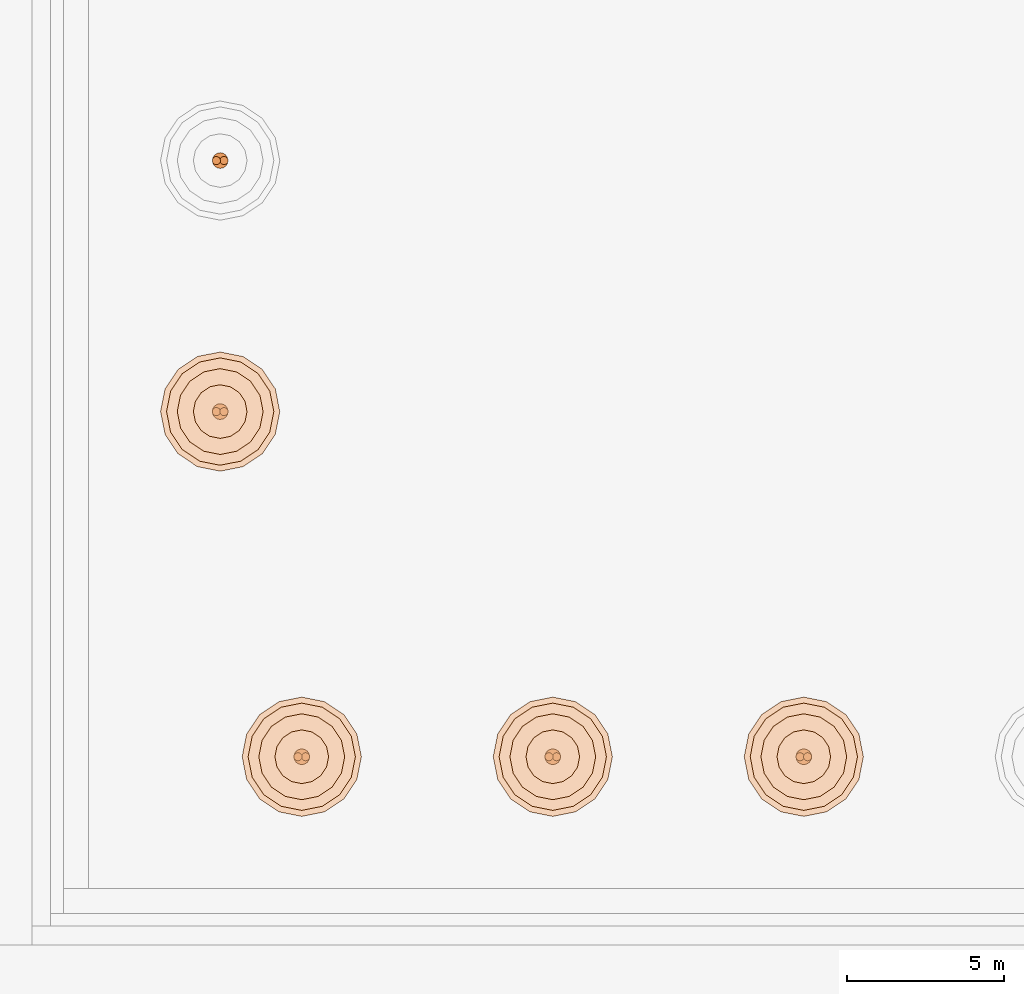
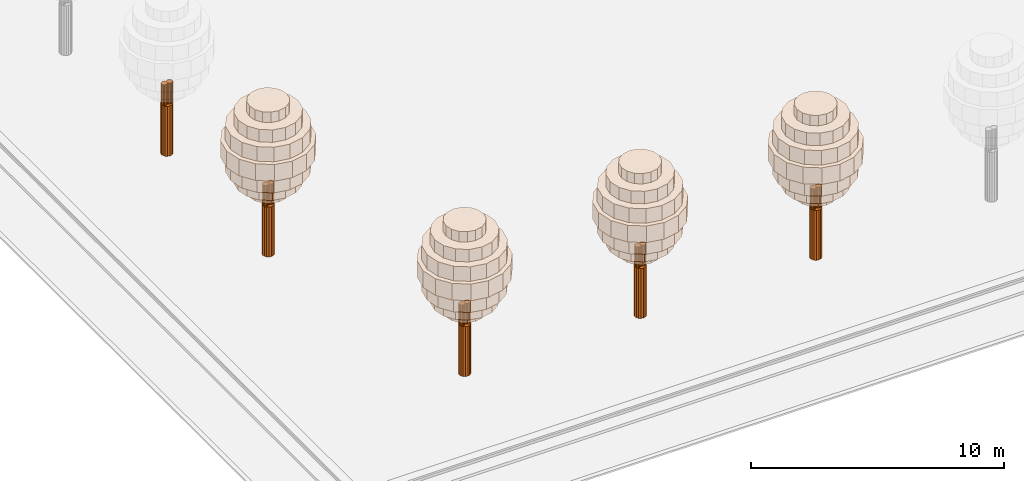
# One storey, part 238 of 250: 43 geographic elements.
"""IFC4 building model written with IfcOpenShell, lengths in metres."""

from ifc_helpers import new_model, si_unit, direction, frame, origin, place, context, subcontext, project, spatial, polyline, outline, extrude, material, type_object, element, save


model = new_model("IFC4")

# Units and contexts
model_context = context("Model", 3, precision=1e-05, world=origin(), true_north=direction((0.0, 1.0)))
body_context = subcontext(model_context, "Body", "Model", "MODEL_VIEW")
ifc_project = project(units=[si_unit("LENGTHUNIT", "METRE"), si_unit("AREAUNIT", "SQUARE_METRE"), si_unit("VOLUMEUNIT", "CUBIC_METRE"), si_unit("PLANEANGLEUNIT", "RADIAN"), si_unit("MASSUNIT", "GRAM", prefix="KILO")], contexts=[model_context])

# Site, building, storey
site_placement = place(None, origin())
site = spatial("IfcSite", under=ifc_project, at=site_placement, CompositionType="ELEMENT")
building_placement = place(site_placement, origin())
building = spatial("IfcBuilding", under=site, at=building_placement, Name="Baradari Gate Terminus", CompositionType="ELEMENT")
storey_placement = place(building_placement, origin())
storey = spatial("IfcBuildingStorey", under=building, at=storey_placement, Name="L00", CompositionType="ELEMENT", Elevation=0.0)

# Geographic elements
ifc_material_1 = material(Name="Planted foliage, green")
geographic_element_type_1 = type_object("IfcGeographicElementType", Name="Street tree crown, belly layer TR-4 3420x700", PredefinedType="USERDEFINED", material=ifc_material_1)
for number, where, name in (
    (1, (0.0, 0.0, 4.10009765625), "Street tree 1 crown 3"),
    (2, (0.0, 0.0, 5.60009765625), "Street tree 1 crown 5"),
):
    element("IfcGeographicElement", number, at=place(storey_placement, frame(where)), inside=storey, type_object=geographic_element_type_1, Name=name, ObjectType="TREE", PredefinedType="USERDEFINED", context=body_context, shape_type="SweptSolid", body=[
        extrude(outline(polyline([(12.7099609375, 8.39990234375), (12.579833984375, 9.054443359375), (12.209228515625, 9.609130859375), (11.654296875, 9.979736328125), (11.0, 10.110107421875), (10.345703125, 9.979736328125), (9.790771484375, 9.609130859375), (9.420166015625, 9.054443359375), (9.2900390625, 8.39990234375), (9.420166015625, 7.74560546875), (9.790771484375, 7.19091796875), (10.345703125, 6.820068359375), (11.0, 6.68994140625), (11.654296875, 6.820068359375), (12.209228515625, 7.19091796875), (12.579833984375, 7.74560546875), (12.7099609375, 8.39990234375)])), origin(), (0.0, 0.0, 1.0), 0.699951171875),
    ])
for number, where, name in (
    (3, (0.0, 0.0, 4.10009765625), "Street tree 2 crown 3"),
    (4, (0.0, 0.0, 5.60009765625), "Street tree 2 crown 5"),
):
    element("IfcGeographicElement", number, at=place(storey_placement, frame(where)), inside=storey, type_object=geographic_element_type_1, Name=name, ObjectType="TREE", PredefinedType="USERDEFINED", context=body_context, shape_type="SweptSolid", body=[
        extrude(outline(polyline([(20.7099609375, 8.39990234375), (20.579833984375, 9.054443359375), (20.209228515625, 9.609130859375), (19.654296875, 9.979736328125), (19.0, 10.110107421875), (18.345703125, 9.979736328125), (17.790771484375, 9.609130859375), (17.420166015625, 9.054443359375), (17.2900390625, 8.39990234375), (17.420166015625, 7.74560546875), (17.790771484375, 7.19091796875), (18.345703125, 6.820068359375), (19.0, 6.68994140625), (19.654296875, 6.820068359375), (20.209228515625, 7.19091796875), (20.579833984375, 7.74560546875), (20.7099609375, 8.39990234375)])), origin(), (0.0, 0.0, 1.0), 0.699951171875),
    ])
for number, where, name in (
    (5, (0.0, 0.0, 4.10009765625), "Street tree 3 crown 3"),
    (6, (0.0, 0.0, 5.60009765625), "Street tree 3 crown 5"),
):
    element("IfcGeographicElement", number, at=place(storey_placement, frame(where)), inside=storey, type_object=geographic_element_type_1, Name=name, ObjectType="TREE", PredefinedType="USERDEFINED", context=body_context, shape_type="SweptSolid", body=[
        extrude(outline(polyline([(28.7099609375, 8.39990234375), (28.579833984375, 9.054443359375), (28.209228515625, 9.609130859375), (27.654296875, 9.979736328125), (27.0, 10.110107421875), (26.345703125, 9.979736328125), (25.790771484375, 9.609130859375), (25.420166015625, 9.054443359375), (25.2900390625, 8.39990234375), (25.420166015625, 7.74560546875), (25.790771484375, 7.19091796875), (26.345703125, 6.820068359375), (27.0, 6.68994140625), (27.654296875, 6.820068359375), (28.209228515625, 7.19091796875), (28.579833984375, 7.74560546875), (28.7099609375, 8.39990234375)])), origin(), (0.0, 0.0, 1.0), 0.699951171875),
    ])
for number, where, name in (
    (7, (0.0, 0.0, 4.10009765625), "Street tree 16 crown 3"),
    (8, (0.0, 0.0, 5.60009765625), "Street tree 16 crown 5"),
):
    element("IfcGeographicElement", number, at=place(storey_placement, frame(where)), inside=storey, type_object=geographic_element_type_1, Name=name, ObjectType="TREE", PredefinedType="USERDEFINED", context=body_context, shape_type="SweptSolid", body=[
        extrude(outline(polyline([(10.110107421875, 19.39990234375), (9.979736328125, 20.054443359375), (9.609130859375, 20.609130859375), (9.054443359375, 20.979736328125), (8.39990234375, 21.110107421875), (7.74560546875, 20.979736328125), (7.19091796875, 20.609130859375), (6.820068359375, 20.054443359375), (6.68994140625, 19.39990234375), (6.820068359375, 18.74560546875), (7.19091796875, 18.19091796875), (7.74560546875, 17.820068359375), (8.39990234375, 17.68994140625), (9.054443359375, 17.820068359375), (9.609130859375, 18.19091796875), (9.979736328125, 18.74560546875), (10.110107421875, 19.39990234375)])), origin(), (0.0, 0.0, 1.0), 0.699951171875),
    ])
ifc_material_2 = material(Name="Planted foliage, green")
geographic_element_type_2 = type_object("IfcGeographicElementType", Name="Street tree crown, core layer TR-5 3800x800", PredefinedType="USERDEFINED", material=ifc_material_2)
geographic_element_1_placement = place(storey_placement, frame((0.0, 0.0, 4.800048828125)))
element("IfcGeographicElement", 9, at=geographic_element_1_placement, inside=storey, type_object=geographic_element_type_2, Name="Street tree 1 crown 4", ObjectType="TREE", PredefinedType="USERDEFINED", context=body_context, shape_type="SweptSolid", body=[
    extrude(outline(polyline([(12.89990234375, 8.39990234375), (12.75537109375, 9.127197265625), (12.343505859375, 9.743408203125), (11.72705078125, 10.1552734375), (11.0, 10.300048828125), (10.27294921875, 10.1552734375), (9.656494140625, 9.743408203125), (9.24462890625, 9.127197265625), (9.10009765625, 8.39990234375), (9.24462890625, 7.6728515625), (9.656494140625, 7.056396484375), (10.27294921875, 6.64453125), (11.0, 6.5), (11.72705078125, 6.64453125), (12.343505859375, 7.056396484375), (12.75537109375, 7.6728515625), (12.89990234375, 8.39990234375)])), origin(), (0.0, 0.0, 1.0), 0.800048828125),
])
geographic_element_2_placement = place(storey_placement, frame((0.0, 0.0, 4.800048828125)))
element("IfcGeographicElement", 10, at=geographic_element_2_placement, inside=storey, type_object=geographic_element_type_2, Name="Street tree 2 crown 4", ObjectType="TREE", PredefinedType="USERDEFINED", context=body_context, shape_type="SweptSolid", body=[
    extrude(outline(polyline([(20.89990234375, 8.39990234375), (20.75537109375, 9.127197265625), (20.343505859375, 9.743408203125), (19.72705078125, 10.1552734375), (19.0, 10.300048828125), (18.27294921875, 10.1552734375), (17.656494140625, 9.743408203125), (17.24462890625, 9.127197265625), (17.10009765625, 8.39990234375), (17.24462890625, 7.6728515625), (17.656494140625, 7.056396484375), (18.27294921875, 6.64453125), (19.0, 6.5), (19.72705078125, 6.64453125), (20.343505859375, 7.056396484375), (20.75537109375, 7.6728515625), (20.89990234375, 8.39990234375)])), origin(), (0.0, 0.0, 1.0), 0.800048828125),
])
geographic_element_3_placement = place(storey_placement, frame((0.0, 0.0, 4.800048828125)))
element("IfcGeographicElement", 11, at=geographic_element_3_placement, inside=storey, type_object=geographic_element_type_2, Name="Street tree 3 crown 4", ObjectType="TREE", PredefinedType="USERDEFINED", context=body_context, shape_type="SweptSolid", body=[
    extrude(outline(polyline([(28.89990234375, 8.39990234375), (28.75537109375, 9.127197265625), (28.343505859375, 9.743408203125), (27.72705078125, 10.1552734375), (27.0, 10.300048828125), (26.27294921875, 10.1552734375), (25.656494140625, 9.743408203125), (25.24462890625, 9.127197265625), (25.10009765625, 8.39990234375), (25.24462890625, 7.6728515625), (25.656494140625, 7.056396484375), (26.27294921875, 6.64453125), (27.0, 6.5), (27.72705078125, 6.64453125), (28.343505859375, 7.056396484375), (28.75537109375, 7.6728515625), (28.89990234375, 8.39990234375)])), origin(), (0.0, 0.0, 1.0), 0.800048828125),
])
geographic_element_4_placement = place(storey_placement, frame((0.0, 0.0, 4.800048828125)))
element("IfcGeographicElement", 12, at=geographic_element_4_placement, inside=storey, type_object=geographic_element_type_2, Name="Street tree 16 crown 4", ObjectType="TREE", PredefinedType="USERDEFINED", context=body_context, shape_type="SweptSolid", body=[
    extrude(outline(polyline([(10.300048828125, 19.39990234375), (10.1552734375, 20.127197265625), (9.743408203125, 20.743408203125), (9.127197265625, 21.1552734375), (8.39990234375, 21.300048828125), (7.6728515625, 21.1552734375), (7.056396484375, 20.743408203125), (6.64453125, 20.127197265625), (6.5, 19.39990234375), (6.64453125, 18.6728515625), (7.056396484375, 18.056396484375), (7.6728515625, 17.64453125), (8.39990234375, 17.5), (9.127197265625, 17.64453125), (9.743408203125, 18.056396484375), (10.1552734375, 18.6728515625), (10.300048828125, 19.39990234375)])), origin(), (0.0, 0.0, 1.0), 0.800048828125),
])
ifc_material_3 = material(Name="Planted foliage, green")
geographic_element_type_3 = type_object("IfcGeographicElementType", Name="Street tree crown, rim layer TR-2 1710x500", PredefinedType="USERDEFINED", material=ifc_material_3)
for number, where, name in (
    (13, (0.0, 0.0, 3.0), "Street tree 1 crown 1"),
    (14, (0.0, 0.0, 6.89990234375), "Street tree 1 crown 7"),
):
    element("IfcGeographicElement", number, at=place(storey_placement, frame(where)), inside=storey, type_object=geographic_element_type_3, Name=name, ObjectType="TREE", PredefinedType="USERDEFINED", context=body_context, shape_type="SweptSolid", body=[
        extrude(outline(polyline([(11.85498046875, 8.39990234375), (11.7900390625, 8.727294921875), (11.6044921875, 9.004638671875), (11.3271484375, 9.18994140625), (11.0, 9.2548828125), (10.6728515625, 9.18994140625), (10.3955078125, 9.004638671875), (10.2099609375, 8.727294921875), (10.14501953125, 8.39990234375), (10.2099609375, 8.07275390625), (10.3955078125, 7.79541015625), (10.6728515625, 7.610107421875), (11.0, 7.544921875), (11.3271484375, 7.610107421875), (11.6044921875, 7.79541015625), (11.7900390625, 8.07275390625), (11.85498046875, 8.39990234375)])), origin(), (0.0, 0.0, 1.0), 0.5),
    ])
for number, where, name in (
    (15, (0.0, 0.0, 3.0), "Street tree 2 crown 1"),
    (16, (0.0, 0.0, 6.89990234375), "Street tree 2 crown 7"),
):
    element("IfcGeographicElement", number, at=place(storey_placement, frame(where)), inside=storey, type_object=geographic_element_type_3, Name=name, ObjectType="TREE", PredefinedType="USERDEFINED", context=body_context, shape_type="SweptSolid", body=[
        extrude(outline(polyline([(19.85498046875, 8.39990234375), (19.7900390625, 8.727294921875), (19.6044921875, 9.004638671875), (19.3271484375, 9.18994140625), (19.0, 9.2548828125), (18.6728515625, 9.18994140625), (18.3955078125, 9.004638671875), (18.2099609375, 8.727294921875), (18.14501953125, 8.39990234375), (18.2099609375, 8.07275390625), (18.3955078125, 7.79541015625), (18.6728515625, 7.610107421875), (19.0, 7.544921875), (19.3271484375, 7.610107421875), (19.6044921875, 7.79541015625), (19.7900390625, 8.07275390625), (19.85498046875, 8.39990234375)])), origin(), (0.0, 0.0, 1.0), 0.5),
    ])
for number, where, name in (
    (17, (0.0, 0.0, 3.0), "Street tree 3 crown 1"),
    (18, (0.0, 0.0, 6.89990234375), "Street tree 3 crown 7"),
):
    element("IfcGeographicElement", number, at=place(storey_placement, frame(where)), inside=storey, type_object=geographic_element_type_3, Name=name, ObjectType="TREE", PredefinedType="USERDEFINED", context=body_context, shape_type="SweptSolid", body=[
        extrude(outline(polyline([(27.85498046875, 8.39990234375), (27.7900390625, 8.727294921875), (27.6044921875, 9.004638671875), (27.3271484375, 9.18994140625), (27.0, 9.2548828125), (26.6728515625, 9.18994140625), (26.3955078125, 9.004638671875), (26.2099609375, 8.727294921875), (26.14501953125, 8.39990234375), (26.2099609375, 8.07275390625), (26.3955078125, 7.79541015625), (26.6728515625, 7.610107421875), (27.0, 7.544921875), (27.3271484375, 7.610107421875), (27.6044921875, 7.79541015625), (27.7900390625, 8.07275390625), (27.85498046875, 8.39990234375)])), origin(), (0.0, 0.0, 1.0), 0.5),
    ])
for number, where, name in (
    (19, (0.0, 0.0, 3.0), "Street tree 16 crown 1"),
    (20, (0.0, 0.0, 6.89990234375), "Street tree 16 crown 7"),
):
    element("IfcGeographicElement", number, at=place(storey_placement, frame(where)), inside=storey, type_object=geographic_element_type_3, Name=name, ObjectType="TREE", PredefinedType="USERDEFINED", context=body_context, shape_type="SweptSolid", body=[
        extrude(outline(polyline([(9.2548828125, 19.39990234375), (9.18994140625, 19.727294921875), (9.004638671875, 20.004638671875), (8.727294921875, 20.18994140625), (8.39990234375, 20.2548828125), (8.07275390625, 20.18994140625), (7.79541015625, 20.004638671875), (7.610107421875, 19.727294921875), (7.544921875, 19.39990234375), (7.610107421875, 19.07275390625), (7.79541015625, 18.79541015625), (8.07275390625, 18.610107421875), (8.39990234375, 18.544921875), (8.727294921875, 18.610107421875), (9.004638671875, 18.79541015625), (9.18994140625, 19.07275390625), (9.2548828125, 19.39990234375)])), origin(), (0.0, 0.0, 1.0), 0.5),
    ])
ifc_material_4 = material(Name="Planted foliage, green")
geographic_element_type_4 = type_object("IfcGeographicElementType", Name="Street tree crown, shoulder layer TR-3 2736x600", PredefinedType="USERDEFINED", material=ifc_material_4)
geographic_element_5_placement = place(storey_placement, frame((0.0, 0.0, 3.5)))
element("IfcGeographicElement", 21, at=geographic_element_5_placement, inside=storey, type_object=geographic_element_type_4, Name="Street tree 1 crown 2", ObjectType="TREE", PredefinedType="USERDEFINED", context=body_context, shape_type="SweptSolid", body=[
    extrude(outline(polyline([(12.367919921875, 8.39990234375), (12.263916015625, 8.923583984375), (11.96728515625, 9.367431640625), (11.5234375, 9.663818359375), (11.0, 9.76806640625), (10.4765625, 9.663818359375), (10.03271484375, 9.367431640625), (9.736083984375, 8.923583984375), (9.632080078125, 8.39990234375), (9.736083984375, 7.87646484375), (10.03271484375, 7.4326171875), (10.4765625, 7.13623046875), (11.0, 7.031982421875), (11.5234375, 7.13623046875), (11.96728515625, 7.4326171875), (12.263916015625, 7.87646484375), (12.367919921875, 8.39990234375)])), origin(), (0.0, 0.0, 1.0), 0.60009765625),
])
geographic_element_6_placement = place(storey_placement, frame((0.0, 0.0, 6.300048828125)))
element("IfcGeographicElement", 22, at=geographic_element_6_placement, inside=storey, type_object=geographic_element_type_4, Name="Street tree 1 crown 6", ObjectType="TREE", PredefinedType="USERDEFINED", context=body_context, shape_type="SweptSolid", body=[
    extrude(outline(polyline([(12.367919921875, 8.39990234375), (12.263916015625, 8.923583984375), (11.96728515625, 9.367431640625), (11.5234375, 9.663818359375), (11.0, 9.76806640625), (10.4765625, 9.663818359375), (10.03271484375, 9.367431640625), (9.736083984375, 8.923583984375), (9.632080078125, 8.39990234375), (9.736083984375, 7.87646484375), (10.03271484375, 7.4326171875), (10.4765625, 7.13623046875), (11.0, 7.031982421875), (11.5234375, 7.13623046875), (11.96728515625, 7.4326171875), (12.263916015625, 7.87646484375), (12.367919921875, 8.39990234375)])), origin(), (0.0, 0.0, 1.0), 0.599853515625),
])
geographic_element_7_placement = place(storey_placement, frame((0.0, 0.0, 3.5)))
element("IfcGeographicElement", 23, at=geographic_element_7_placement, inside=storey, type_object=geographic_element_type_4, Name="Street tree 2 crown 2", ObjectType="TREE", PredefinedType="USERDEFINED", context=body_context, shape_type="SweptSolid", body=[
    extrude(outline(polyline([(20.367919921875, 8.39990234375), (20.263916015625, 8.923583984375), (19.96728515625, 9.367431640625), (19.5234375, 9.663818359375), (19.0, 9.76806640625), (18.4765625, 9.663818359375), (18.03271484375, 9.367431640625), (17.736083984375, 8.923583984375), (17.632080078125, 8.39990234375), (17.736083984375, 7.87646484375), (18.03271484375, 7.4326171875), (18.4765625, 7.13623046875), (19.0, 7.031982421875), (19.5234375, 7.13623046875), (19.96728515625, 7.4326171875), (20.263916015625, 7.87646484375), (20.367919921875, 8.39990234375)])), origin(), (0.0, 0.0, 1.0), 0.60009765625),
])
geographic_element_8_placement = place(storey_placement, frame((0.0, 0.0, 6.300048828125)))
element("IfcGeographicElement", 24, at=geographic_element_8_placement, inside=storey, type_object=geographic_element_type_4, Name="Street tree 2 crown 6", ObjectType="TREE", PredefinedType="USERDEFINED", context=body_context, shape_type="SweptSolid", body=[
    extrude(outline(polyline([(20.367919921875, 8.39990234375), (20.263916015625, 8.923583984375), (19.96728515625, 9.367431640625), (19.5234375, 9.663818359375), (19.0, 9.76806640625), (18.4765625, 9.663818359375), (18.03271484375, 9.367431640625), (17.736083984375, 8.923583984375), (17.632080078125, 8.39990234375), (17.736083984375, 7.87646484375), (18.03271484375, 7.4326171875), (18.4765625, 7.13623046875), (19.0, 7.031982421875), (19.5234375, 7.13623046875), (19.96728515625, 7.4326171875), (20.263916015625, 7.87646484375), (20.367919921875, 8.39990234375)])), origin(), (0.0, 0.0, 1.0), 0.599853515625),
])
geographic_element_9_placement = place(storey_placement, frame((0.0, 0.0, 3.5)))
element("IfcGeographicElement", 25, at=geographic_element_9_placement, inside=storey, type_object=geographic_element_type_4, Name="Street tree 3 crown 2", ObjectType="TREE", PredefinedType="USERDEFINED", context=body_context, shape_type="SweptSolid", body=[
    extrude(outline(polyline([(28.367919921875, 8.39990234375), (28.263916015625, 8.923583984375), (27.96728515625, 9.367431640625), (27.5234375, 9.663818359375), (27.0, 9.76806640625), (26.4765625, 9.663818359375), (26.03271484375, 9.367431640625), (25.736083984375, 8.923583984375), (25.632080078125, 8.39990234375), (25.736083984375, 7.87646484375), (26.03271484375, 7.4326171875), (26.4765625, 7.13623046875), (27.0, 7.031982421875), (27.5234375, 7.13623046875), (27.96728515625, 7.4326171875), (28.263916015625, 7.87646484375), (28.367919921875, 8.39990234375)])), origin(), (0.0, 0.0, 1.0), 0.60009765625),
])
geographic_element_10_placement = place(storey_placement, frame((0.0, 0.0, 6.300048828125)))
element("IfcGeographicElement", 26, at=geographic_element_10_placement, inside=storey, type_object=geographic_element_type_4, Name="Street tree 3 crown 6", ObjectType="TREE", PredefinedType="USERDEFINED", context=body_context, shape_type="SweptSolid", body=[
    extrude(outline(polyline([(28.367919921875, 8.39990234375), (28.263916015625, 8.923583984375), (27.96728515625, 9.367431640625), (27.5234375, 9.663818359375), (27.0, 9.76806640625), (26.4765625, 9.663818359375), (26.03271484375, 9.367431640625), (25.736083984375, 8.923583984375), (25.632080078125, 8.39990234375), (25.736083984375, 7.87646484375), (26.03271484375, 7.4326171875), (26.4765625, 7.13623046875), (27.0, 7.031982421875), (27.5234375, 7.13623046875), (27.96728515625, 7.4326171875), (28.263916015625, 7.87646484375), (28.367919921875, 8.39990234375)])), origin(), (0.0, 0.0, 1.0), 0.599853515625),
])
geographic_element_11_placement = place(storey_placement, frame((0.0, 0.0, 3.5)))
element("IfcGeographicElement", 27, at=geographic_element_11_placement, inside=storey, type_object=geographic_element_type_4, Name="Street tree 16 crown 2", ObjectType="TREE", PredefinedType="USERDEFINED", context=body_context, shape_type="SweptSolid", body=[
    extrude(outline(polyline([(9.76806640625, 19.39990234375), (9.663818359375, 19.923583984375), (9.367431640625, 20.367431640625), (8.923583984375, 20.663818359375), (8.39990234375, 20.76806640625), (7.87646484375, 20.663818359375), (7.4326171875, 20.367431640625), (7.13623046875, 19.923583984375), (7.031982421875, 19.39990234375), (7.13623046875, 18.87646484375), (7.4326171875, 18.4326171875), (7.87646484375, 18.13623046875), (8.39990234375, 18.031982421875), (8.923583984375, 18.13623046875), (9.367431640625, 18.4326171875), (9.663818359375, 18.87646484375), (9.76806640625, 19.39990234375)])), origin(), (0.0, 0.0, 1.0), 0.60009765625),
])
geographic_element_12_placement = place(storey_placement, frame((0.0, 0.0, 6.300048828125)))
element("IfcGeographicElement", 28, at=geographic_element_12_placement, inside=storey, type_object=geographic_element_type_4, Name="Street tree 16 crown 6", ObjectType="TREE", PredefinedType="USERDEFINED", context=body_context, shape_type="SweptSolid", body=[
    extrude(outline(polyline([(9.76806640625, 19.39990234375), (9.663818359375, 19.923583984375), (9.367431640625, 20.367431640625), (8.923583984375, 20.663818359375), (8.39990234375, 20.76806640625), (7.87646484375, 20.663818359375), (7.4326171875, 20.367431640625), (7.13623046875, 19.923583984375), (7.031982421875, 19.39990234375), (7.13623046875, 18.87646484375), (7.4326171875, 18.4326171875), (7.87646484375, 18.13623046875), (8.39990234375, 18.031982421875), (8.923583984375, 18.13623046875), (9.367431640625, 18.4326171875), (9.663818359375, 18.87646484375), (9.76806640625, 19.39990234375)])), origin(), (0.0, 0.0, 1.0), 0.599853515625),
])
ifc_material_5 = material(Name="Timber, hardwood", Category="wood")
geographic_element_type_5 = type_object("IfcGeographicElementType", Name="Street tree limb TR-11 260x1000", PredefinedType="USERDEFINED", material=ifc_material_5)
geographic_element_13_placement = place(storey_placement, frame((0.0, 0.0, 2.39990234375)))
element("IfcGeographicElement", 29, at=geographic_element_13_placement, inside=storey, type_object=geographic_element_type_5, Name="Street tree 1 limb 1", ObjectType="TREE", PredefinedType="USERDEFINED", context=body_context, shape_type="SweptSolid", body=[
    extrude(outline(polyline([(11.010009765625, 8.39990234375), (11.0, 8.44970703125), (10.971923828125, 8.491943359375), (10.9296875, 8.52001953125), (10.8798828125, 8.530029296875), (10.830322265625, 8.52001953125), (10.7880859375, 8.491943359375), (10.760009765625, 8.44970703125), (10.75, 8.39990234375), (10.760009765625, 8.350341796875), (10.7880859375, 8.30810546875), (10.830322265625, 8.27978515625), (10.8798828125, 8.27001953125), (10.9296875, 8.27978515625), (10.971923828125, 8.30810546875), (11.0, 8.350341796875), (11.010009765625, 8.39990234375)])), origin(), (0.0, 0.0, 1.0), 1.0),
])
geographic_element_14_placement = place(storey_placement, frame((0.0, 0.0, 2.39990234375)))
element("IfcGeographicElement", 30, at=geographic_element_14_placement, inside=storey, type_object=geographic_element_type_5, Name="Street tree 1 limb 2", ObjectType="TREE", PredefinedType="USERDEFINED", context=body_context, shape_type="SweptSolid", body=[
    extrude(outline(polyline([(11.25, 8.39990234375), (11.239990234375, 8.44970703125), (11.2119140625, 8.491943359375), (11.169677734375, 8.52001953125), (11.1201171875, 8.530029296875), (11.0703125, 8.52001953125), (11.028076171875, 8.491943359375), (11.0, 8.44970703125), (10.989990234375, 8.39990234375), (11.0, 8.350341796875), (11.028076171875, 8.30810546875), (11.0703125, 8.27978515625), (11.1201171875, 8.27001953125), (11.169677734375, 8.27978515625), (11.2119140625, 8.30810546875), (11.239990234375, 8.350341796875), (11.25, 8.39990234375)])), origin(), (0.0, 0.0, 1.0), 1.0),
])
geographic_element_15_placement = place(storey_placement, frame((0.0, 0.0, 2.39990234375)))
element("IfcGeographicElement", 31, at=geographic_element_15_placement, inside=storey, type_object=geographic_element_type_5, Name="Street tree 2 limb 1", ObjectType="TREE", PredefinedType="USERDEFINED", context=body_context, shape_type="SweptSolid", body=[
    extrude(outline(polyline([(19.010009765625, 8.39990234375), (19.0, 8.44970703125), (18.971923828125, 8.491943359375), (18.9296875, 8.52001953125), (18.8798828125, 8.530029296875), (18.830322265625, 8.52001953125), (18.7880859375, 8.491943359375), (18.760009765625, 8.44970703125), (18.75, 8.39990234375), (18.760009765625, 8.350341796875), (18.7880859375, 8.30810546875), (18.830322265625, 8.27978515625), (18.8798828125, 8.27001953125), (18.9296875, 8.27978515625), (18.971923828125, 8.30810546875), (19.0, 8.350341796875), (19.010009765625, 8.39990234375)])), origin(), (0.0, 0.0, 1.0), 1.0),
])
geographic_element_16_placement = place(storey_placement, frame((0.0, 0.0, 2.39990234375)))
element("IfcGeographicElement", 32, at=geographic_element_16_placement, inside=storey, type_object=geographic_element_type_5, Name="Street tree 2 limb 2", ObjectType="TREE", PredefinedType="USERDEFINED", context=body_context, shape_type="SweptSolid", body=[
    extrude(outline(polyline([(19.25, 8.39990234375), (19.239990234375, 8.44970703125), (19.2119140625, 8.491943359375), (19.169677734375, 8.52001953125), (19.1201171875, 8.530029296875), (19.0703125, 8.52001953125), (19.028076171875, 8.491943359375), (19.0, 8.44970703125), (18.989990234375, 8.39990234375), (19.0, 8.350341796875), (19.028076171875, 8.30810546875), (19.0703125, 8.27978515625), (19.1201171875, 8.27001953125), (19.169677734375, 8.27978515625), (19.2119140625, 8.30810546875), (19.239990234375, 8.350341796875), (19.25, 8.39990234375)])), origin(), (0.0, 0.0, 1.0), 1.0),
])
geographic_element_17_placement = place(storey_placement, frame((0.0, 0.0, 2.39990234375)))
element("IfcGeographicElement", 33, at=geographic_element_17_placement, inside=storey, type_object=geographic_element_type_5, Name="Street tree 3 limb 1", ObjectType="TREE", PredefinedType="USERDEFINED", context=body_context, shape_type="SweptSolid", body=[
    extrude(outline(polyline([(27.010009765625, 8.39990234375), (27.0, 8.44970703125), (26.971923828125, 8.491943359375), (26.9296875, 8.52001953125), (26.8798828125, 8.530029296875), (26.830322265625, 8.52001953125), (26.7880859375, 8.491943359375), (26.760009765625, 8.44970703125), (26.75, 8.39990234375), (26.760009765625, 8.350341796875), (26.7880859375, 8.30810546875), (26.830322265625, 8.27978515625), (26.8798828125, 8.27001953125), (26.9296875, 8.27978515625), (26.971923828125, 8.30810546875), (27.0, 8.350341796875), (27.010009765625, 8.39990234375)])), origin(), (0.0, 0.0, 1.0), 1.0),
])
geographic_element_18_placement = place(storey_placement, frame((0.0, 0.0, 2.39990234375)))
element("IfcGeographicElement", 34, at=geographic_element_18_placement, inside=storey, type_object=geographic_element_type_5, Name="Street tree 3 limb 2", ObjectType="TREE", PredefinedType="USERDEFINED", context=body_context, shape_type="SweptSolid", body=[
    extrude(outline(polyline([(27.25, 8.39990234375), (27.239990234375, 8.44970703125), (27.2119140625, 8.491943359375), (27.169677734375, 8.52001953125), (27.1201171875, 8.530029296875), (27.0703125, 8.52001953125), (27.028076171875, 8.491943359375), (27.0, 8.44970703125), (26.989990234375, 8.39990234375), (27.0, 8.350341796875), (27.028076171875, 8.30810546875), (27.0703125, 8.27978515625), (27.1201171875, 8.27001953125), (27.169677734375, 8.27978515625), (27.2119140625, 8.30810546875), (27.239990234375, 8.350341796875), (27.25, 8.39990234375)])), origin(), (0.0, 0.0, 1.0), 1.0),
])
geographic_element_19_placement = place(storey_placement, frame((0.0, 0.0, 2.39990234375)))
element("IfcGeographicElement", 35, at=geographic_element_19_placement, inside=storey, type_object=geographic_element_type_5, Name="Street tree 16 limb 1", ObjectType="TREE", PredefinedType="USERDEFINED", context=body_context, shape_type="SweptSolid", body=[
    extrude(outline(polyline([(8.409912109375, 19.39990234375), (8.400146484375, 19.44970703125), (8.371826171875, 19.491943359375), (8.329833984375, 19.52001953125), (8.280029296875, 19.530029296875), (8.230224609375, 19.52001953125), (8.18798828125, 19.491943359375), (8.159912109375, 19.44970703125), (8.14990234375, 19.39990234375), (8.159912109375, 19.350341796875), (8.18798828125, 19.30810546875), (8.230224609375, 19.27978515625), (8.280029296875, 19.27001953125), (8.329833984375, 19.27978515625), (8.371826171875, 19.30810546875), (8.400146484375, 19.350341796875), (8.409912109375, 19.39990234375)])), origin(), (0.0, 0.0, 1.0), 1.0),
])
geographic_element_20_placement = place(storey_placement, frame((0.0, 0.0, 2.39990234375)))
element("IfcGeographicElement", 36, at=geographic_element_20_placement, inside=storey, type_object=geographic_element_type_5, Name="Street tree 16 limb 2", ObjectType="TREE", PredefinedType="USERDEFINED", context=body_context, shape_type="SweptSolid", body=[
    extrude(outline(polyline([(8.64990234375, 19.39990234375), (8.64013671875, 19.44970703125), (8.61181640625, 19.491943359375), (8.56982421875, 19.52001953125), (8.52001953125, 19.530029296875), (8.47021484375, 19.52001953125), (8.427978515625, 19.491943359375), (8.39990234375, 19.44970703125), (8.389892578125, 19.39990234375), (8.39990234375, 19.350341796875), (8.427978515625, 19.30810546875), (8.47021484375, 19.27978515625), (8.52001953125, 19.27001953125), (8.56982421875, 19.27978515625), (8.61181640625, 19.30810546875), (8.64013671875, 19.350341796875), (8.64990234375, 19.39990234375)])), origin(), (0.0, 0.0, 1.0), 1.0),
])
geographic_element_21_placement = place(storey_placement, frame((0.0, 0.0, 2.39990234375)))
element("IfcGeographicElement", 37, at=geographic_element_21_placement, inside=storey, type_object=geographic_element_type_5, Name="Street tree 17 limb 1", ObjectType="TREE", PredefinedType="USERDEFINED", context=body_context, shape_type="SweptSolid", body=[
    extrude(outline(polyline([(8.409912109375, 27.39990234375), (8.400146484375, 27.44970703125), (8.371826171875, 27.491943359375), (8.329833984375, 27.52001953125), (8.280029296875, 27.530029296875), (8.230224609375, 27.52001953125), (8.18798828125, 27.491943359375), (8.159912109375, 27.44970703125), (8.14990234375, 27.39990234375), (8.159912109375, 27.350341796875), (8.18798828125, 27.30810546875), (8.230224609375, 27.27978515625), (8.280029296875, 27.27001953125), (8.329833984375, 27.27978515625), (8.371826171875, 27.30810546875), (8.400146484375, 27.350341796875), (8.409912109375, 27.39990234375)])), origin(), (0.0, 0.0, 1.0), 1.0),
])
geographic_element_22_placement = place(storey_placement, frame((0.0, 0.0, 2.39990234375)))
element("IfcGeographicElement", 38, at=geographic_element_22_placement, inside=storey, type_object=geographic_element_type_5, Name="Street tree 17 limb 2", ObjectType="TREE", PredefinedType="USERDEFINED", context=body_context, shape_type="SweptSolid", body=[
    extrude(outline(polyline([(8.64990234375, 27.39990234375), (8.64013671875, 27.44970703125), (8.61181640625, 27.491943359375), (8.56982421875, 27.52001953125), (8.52001953125, 27.530029296875), (8.47021484375, 27.52001953125), (8.427978515625, 27.491943359375), (8.39990234375, 27.44970703125), (8.389892578125, 27.39990234375), (8.39990234375, 27.350341796875), (8.427978515625, 27.30810546875), (8.47021484375, 27.27978515625), (8.52001953125, 27.27001953125), (8.56982421875, 27.27978515625), (8.61181640625, 27.30810546875), (8.64013671875, 27.350341796875), (8.64990234375, 27.39990234375)])), origin(), (0.0, 0.0, 1.0), 1.0),
])
ifc_material_6 = material(Name="Timber, hardwood", Category="wood")
geographic_element_type_6 = type_object("IfcGeographicElementType", Name="Street tree trunk TR-1 500x2400", PredefinedType="USERDEFINED", material=ifc_material_6)
geographic_element_23_placement = place(storey_placement, origin())
element("IfcGeographicElement", 39, at=geographic_element_23_placement, inside=storey, type_object=geographic_element_type_6, Name="Street tree 1 trunk", ObjectType="TREE", PredefinedType="USERDEFINED", context=body_context, shape_type="SweptSolid", body=[
    extrude(outline(polyline([(11.25, 8.39990234375), (11.23095703125, 8.49560546875), (11.1767578125, 8.57666015625), (11.095703125, 8.630859375), (11.0, 8.64990234375), (10.904296875, 8.630859375), (10.8232421875, 8.57666015625), (10.76904296875, 8.49560546875), (10.75, 8.39990234375), (10.76904296875, 8.304443359375), (10.8232421875, 8.22314453125), (10.904296875, 8.1689453125), (11.0, 8.14990234375), (11.095703125, 8.1689453125), (11.1767578125, 8.22314453125), (11.23095703125, 8.304443359375), (11.25, 8.39990234375)])), origin(), (0.0, 0.0, 1.0), 2.39990234375),
])
geographic_element_24_placement = place(storey_placement, origin())
element("IfcGeographicElement", 40, at=geographic_element_24_placement, inside=storey, type_object=geographic_element_type_6, Name="Street tree 2 trunk", ObjectType="TREE", PredefinedType="USERDEFINED", context=body_context, shape_type="SweptSolid", body=[
    extrude(outline(polyline([(19.25, 8.39990234375), (19.23095703125, 8.49560546875), (19.1767578125, 8.57666015625), (19.095703125, 8.630859375), (19.0, 8.64990234375), (18.904296875, 8.630859375), (18.8232421875, 8.57666015625), (18.76904296875, 8.49560546875), (18.75, 8.39990234375), (18.76904296875, 8.304443359375), (18.8232421875, 8.22314453125), (18.904296875, 8.1689453125), (19.0, 8.14990234375), (19.095703125, 8.1689453125), (19.1767578125, 8.22314453125), (19.23095703125, 8.304443359375), (19.25, 8.39990234375)])), origin(), (0.0, 0.0, 1.0), 2.39990234375),
])
geographic_element_25_placement = place(storey_placement, origin())
element("IfcGeographicElement", 41, at=geographic_element_25_placement, inside=storey, type_object=geographic_element_type_6, Name="Street tree 3 trunk", ObjectType="TREE", PredefinedType="USERDEFINED", context=body_context, shape_type="SweptSolid", body=[
    extrude(outline(polyline([(27.25, 8.39990234375), (27.23095703125, 8.49560546875), (27.1767578125, 8.57666015625), (27.095703125, 8.630859375), (27.0, 8.64990234375), (26.904296875, 8.630859375), (26.8232421875, 8.57666015625), (26.76904296875, 8.49560546875), (26.75, 8.39990234375), (26.76904296875, 8.304443359375), (26.8232421875, 8.22314453125), (26.904296875, 8.1689453125), (27.0, 8.14990234375), (27.095703125, 8.1689453125), (27.1767578125, 8.22314453125), (27.23095703125, 8.304443359375), (27.25, 8.39990234375)])), origin(), (0.0, 0.0, 1.0), 2.39990234375),
])
geographic_element_26_placement = place(storey_placement, origin())
element("IfcGeographicElement", 42, at=geographic_element_26_placement, inside=storey, type_object=geographic_element_type_6, Name="Street tree 16 trunk", ObjectType="TREE", PredefinedType="USERDEFINED", context=body_context, shape_type="SweptSolid", body=[
    extrude(outline(polyline([(8.64990234375, 19.39990234375), (8.630859375, 19.49560546875), (8.57666015625, 19.57666015625), (8.49560546875, 19.630859375), (8.39990234375, 19.64990234375), (8.304443359375, 19.630859375), (8.22314453125, 19.57666015625), (8.1689453125, 19.49560546875), (8.14990234375, 19.39990234375), (8.1689453125, 19.304443359375), (8.22314453125, 19.22314453125), (8.304443359375, 19.1689453125), (8.39990234375, 19.14990234375), (8.49560546875, 19.1689453125), (8.57666015625, 19.22314453125), (8.630859375, 19.304443359375), (8.64990234375, 19.39990234375)])), origin(), (0.0, 0.0, 1.0), 2.39990234375),
])
geographic_element_27_placement = place(storey_placement, origin())
element("IfcGeographicElement", 43, at=geographic_element_27_placement, inside=storey, type_object=geographic_element_type_6, Name="Street tree 17 trunk", ObjectType="TREE", PredefinedType="USERDEFINED", context=body_context, shape_type="SweptSolid", body=[
    extrude(outline(polyline([(8.64990234375, 27.39990234375), (8.630859375, 27.49560546875), (8.57666015625, 27.57666015625), (8.49560546875, 27.630859375), (8.39990234375, 27.64990234375), (8.304443359375, 27.630859375), (8.22314453125, 27.57666015625), (8.1689453125, 27.49560546875), (8.14990234375, 27.39990234375), (8.1689453125, 27.304443359375), (8.22314453125, 27.22314453125), (8.304443359375, 27.1689453125), (8.39990234375, 27.14990234375), (8.49560546875, 27.1689453125), (8.57666015625, 27.22314453125), (8.630859375, 27.304443359375), (8.64990234375, 27.39990234375)])), origin(), (0.0, 0.0, 1.0), 2.39990234375),
])

save(model, "model.ifc")
